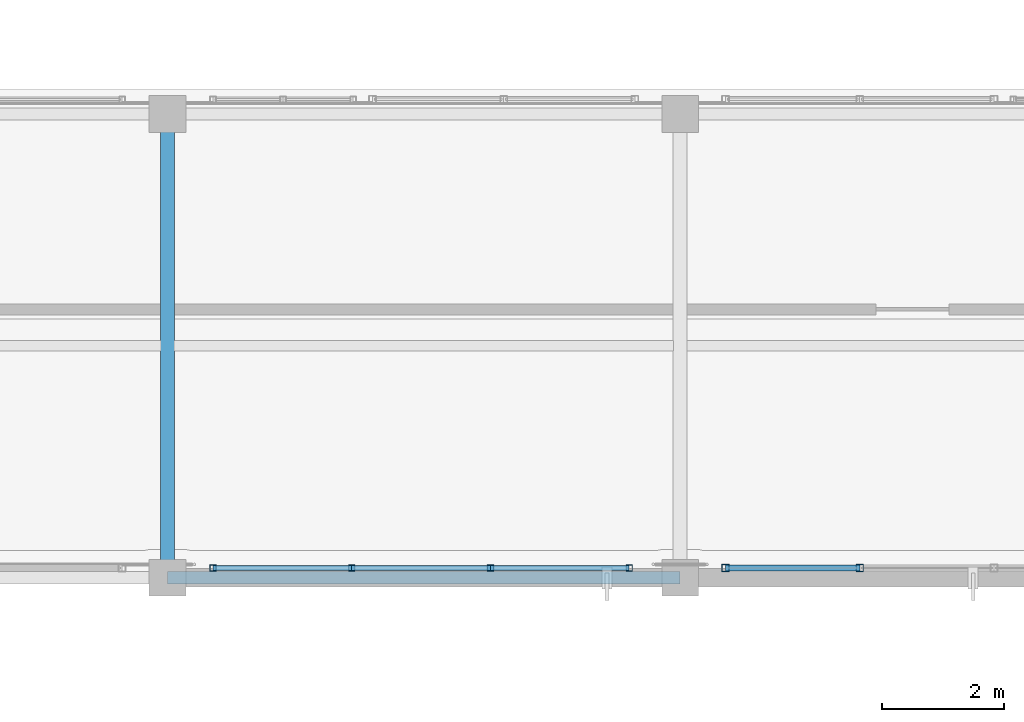
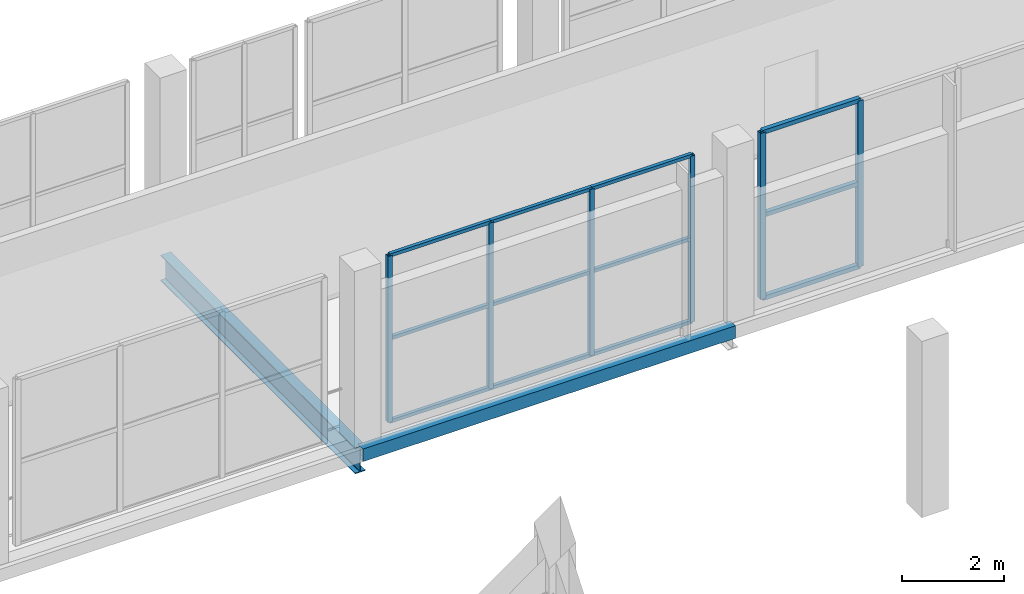
# One storey, part 44 of 151: 18 members, 2 beams, 2 elements without a shape of their own.
"""IFC4 building model written with IfcOpenShell, lengths in metres."""

from ifc_helpers import new_model, si_unit, direction, frame, origin, origin_2d, place, context, subcontext, project, spatial, hollow_rectangle, i_section, extrude, material, material_profile, profile_set, type_object, element, aggregate, save


model = new_model("IFC4")

# Units and contexts
model_context = context("Model", 3, precision=1e-05, world=origin(), true_north=direction((0.0, 1.0)))
body_context = subcontext(model_context, "Body", "Model", "MODEL_VIEW")
ifc_project = project(units=[si_unit("LENGTHUNIT", "METRE"), si_unit("AREAUNIT", "SQUARE_METRE"), si_unit("VOLUMEUNIT", "CUBIC_METRE"), si_unit("PLANEANGLEUNIT", "RADIAN"), si_unit("MASSUNIT", "GRAM", prefix="KILO")], contexts=[model_context])

# Site, building, storey
site_placement = place(None, origin())
site = spatial("IfcSite", under=ifc_project, at=site_placement, CompositionType="ELEMENT")
building_placement = place(site_placement, origin())
building = spatial("IfcBuilding", under=site, at=building_placement, Name="Zuvorla Pavilion Media Centre", CompositionType="ELEMENT")
storey_placement = place(building_placement, frame((0.0, 0.0, 13.800048828125)))
storey = spatial("IfcBuildingStorey", under=building, at=storey_placement, Name="L03", CompositionType="ELEMENT", Elevation=13.800048828125)

# Beams
ifc_material_1 = material(Name="Steel S355", Category="steel")
ifc_material_profile_1 = material_profile(ifc_material_1, hollow_rectangle(XDim=0.199951171875, YDim=0.300048828125, WallThickness=0.012451171875, at=origin_2d()), Name="RHS 300x200x12.5")
ifc_profile_set_1 = profile_set([ifc_material_profile_1], Name="Steel S355")
beam_type_1 = type_object("IfcBeamType", Name="BM-SP-RHS300", PredefinedType="SPANDREL", material=ifc_profile_set_1)
beam_1_placement = place(storey_placement, frame((108.800048828125, 44.0, -0.407958984375), z_axis=(1.0, 0.0, 0.0), x_axis=(0.0, 1.0, 0.0)))
element("IfcBeam", 1, at=beam_1_placement, inside=storey, type_object=beam_type_1, Name="L03 spandrel SP01 1085", PredefinedType="SPANDREL", context=body_context, shape_type="SweptSolid", body=[
    extrude(hollow_rectangle(XDim=0.199951171875, YDim=0.300048828125, WallThickness=0.012451171875, at=origin_2d()), origin(), (0.0, 0.0, 1.0), 8.39990234375),
])
ifc_material_profile_2 = material_profile(ifc_material_1, i_section(OverallWidth=0.22900390625, OverallDepth=0.6123046875, WebThickness=0.011962890625, FlangeThickness=0.01953125, FilletRadius=0.0126953125, at=origin_2d()), Name="UB 610x229x125")
ifc_profile_set_2 = profile_set([ifc_material_profile_2], Name="Steel S355")
beam_type_2 = type_object("IfcBeamType", Name="BM-UB610", PredefinedType="BEAM", material=ifc_profile_set_2)
beam_2_placement = place(storey_placement, frame((108.800048828125, 44.0, -0.564208984375), z_axis=(0.0, 1.0, 0.0), x_axis=(-1.0, 0.0, 0.0)))
element("IfcBeam", 2, at=beam_2_placement, inside=storey, type_object=beam_type_2, Name="L03 beam B07 1210", PredefinedType="BEAM", context=body_context, shape_type="SweptSolid", body=[
    extrude(i_section(OverallWidth=0.22900390625, OverallDepth=0.6123046875, WebThickness=0.011962890625, FlangeThickness=0.01953125, FilletRadius=0.0126953125, at=origin_2d()), origin(), (0.0, 0.0, 1.0), 7.60009765625),
])

# Curtain wall, members
ifc_material_2 = material(Name="Unitised anodised aluminium and solar glass curtain wall", Category="aluminium")
curtain_wall_type_1 = type_object("IfcCurtainWallType", Name="CW-SYS-72", PredefinedType="USERDEFINED", material=ifc_material_2)
curtain_wall_1_placement = place(storey_placement, origin())
curtain_wall_1 = element("IfcCurtainWall", 3, at=curtain_wall_1_placement, inside=storey, type_object=curtain_wall_type_1, Name="L03 curtain wall CW72 142", ObjectType="CURTAIN WALL", PredefinedType="USERDEFINED")
ifc_material_3 = material(Name="Anodised aluminium 6063-T6", Category="aluminium")
ifc_material_profile_3 = material_profile(ifc_material_3, hollow_rectangle(XDim=0.10009765625, YDim=0.10009765625, WallThickness=0.00439453125, at=origin_2d()), Name="ALU MULL 100x100")
ifc_profile_set_3 = profile_set([ifc_material_profile_3], Name="Anodised aluminium 6063-T6")
member_type_1 = type_object("IfcMemberType", Name="CW-MULL-100", PredefinedType="MULLION", material=ifc_profile_set_3)
member_1_placement = place(storey_placement, frame((109.544189453125, 44.159912109375, 0.0), z_axis=(0.0, 0.0, 1.0), x_axis=(1.0, 0.0, 0.0)))
member_1 = element("IfcMember", 4, at=member_1_placement, type_object=member_type_1, Name="CW72 mullion 1", PredefinedType="MULLION", context=body_context, shape_type="SweptSolid", body=[
    extrude(hollow_rectangle(XDim=0.10009765625, YDim=0.10009765625, WallThickness=0.00439453125, at=origin_2d()), origin(), (0.0, 0.0, 1.0), 3.9599609375),
])
member_2_placement = place(storey_placement, frame((111.81787109375, 44.159912109375, 0.0), z_axis=(0.0, 0.0, 1.0), x_axis=(1.0, 0.0, 0.0)))
member_2 = element("IfcMember", 5, at=member_2_placement, type_object=member_type_1, Name="CW72 mullion 2", PredefinedType="MULLION", context=body_context, shape_type="SweptSolid", body=[
    extrude(hollow_rectangle(XDim=0.10009765625, YDim=0.10009765625, WallThickness=0.00439453125, at=origin_2d()), origin(), (0.0, 0.0, 1.0), 3.9599609375),
])
member_3_placement = place(storey_placement, frame((114.091552734375, 44.159912109375, 0.0), z_axis=(0.0, 0.0, 1.0), x_axis=(1.0, 0.0, 0.0)))
member_3 = element("IfcMember", 6, at=member_3_placement, type_object=member_type_1, Name="CW72 mullion 3", PredefinedType="MULLION", context=body_context, shape_type="SweptSolid", body=[
    extrude(hollow_rectangle(XDim=0.10009765625, YDim=0.10009765625, WallThickness=0.00439453125, at=origin_2d()), origin(), (0.0, 0.0, 1.0), 3.9599609375),
])
member_4_placement = place(storey_placement, frame((116.364990234375, 44.159912109375, 0.0), z_axis=(0.0, 0.0, 1.0), x_axis=(1.0, 0.0, 0.0)))
member_4 = element("IfcMember", 7, at=member_4_placement, type_object=member_type_1, Name="CW72 mullion 4", PredefinedType="MULLION", context=body_context, shape_type="SweptSolid", body=[
    extrude(hollow_rectangle(XDim=0.10009765625, YDim=0.10009765625, WallThickness=0.00439453125, at=origin_2d()), origin(), (0.0, 0.0, 1.0), 3.9599609375),
])

curtain_wall_type_2 = type_object("IfcCurtainWallType", Name="CW-SYS-73", PredefinedType="USERDEFINED", material=ifc_material_2)
curtain_wall_2_placement = place(storey_placement, origin())
curtain_wall_2 = element("IfcCurtainWall", 8, at=curtain_wall_2_placement, inside=storey, type_object=curtain_wall_type_2, Name="L03 curtain wall CW73 143", ObjectType="CURTAIN WALL", PredefinedType="USERDEFINED")
ifc_material_profile_4 = material_profile(ifc_material_3, hollow_rectangle(XDim=0.1201171875, YDim=0.1201171875, WallThickness=0.0048828125, at=origin_2d()), Name="ALU MULL 120x120")
ifc_profile_set_4 = profile_set([ifc_material_profile_4], Name="Anodised aluminium 6063-T6")
member_type_2 = type_object("IfcMemberType", Name="CW-MULL-120", PredefinedType="MULLION", material=ifc_profile_set_4)
member_5_placement = place(storey_placement, frame((117.9443359375, 44.159912109375, 0.0), z_axis=(0.0, 0.0, 1.0), x_axis=(1.0, 0.0, 0.0)))
member_5 = element("IfcMember", 9, at=member_5_placement, type_object=member_type_2, Name="CW73 mullion 1", PredefinedType="MULLION", context=body_context, shape_type="SweptSolid", body=[
    extrude(hollow_rectangle(XDim=0.1201171875, YDim=0.1201171875, WallThickness=0.0048828125, at=origin_2d()), origin(), (0.0, 0.0, 1.0), 3.9599609375),
])
member_6_placement = place(storey_placement, frame((120.142822265625, 44.159912109375, 0.0), z_axis=(0.0, 0.0, 1.0), x_axis=(1.0, 0.0, 0.0)))
member_6 = element("IfcMember", 10, at=member_6_placement, type_object=member_type_2, Name="CW73 mullion 2", PredefinedType="MULLION", context=body_context, shape_type="SweptSolid", body=[
    extrude(hollow_rectangle(XDim=0.1201171875, YDim=0.1201171875, WallThickness=0.0048828125, at=origin_2d()), origin(), (0.0, 0.0, 1.0), 3.9599609375),
])
ifc_material_profile_5 = material_profile(ifc_material_3, hollow_rectangle(XDim=0.10009765625, YDim=0.10009765625, WallThickness=0.00439453125, at=origin_2d()), Name="ALU TRAN 100x100")
ifc_profile_set_5 = profile_set([ifc_material_profile_5], Name="Anodised aluminium 6063-T6")
member_type_3 = type_object("IfcMemberType", Name="CW-TRAN-100", PredefinedType="USERDEFINED", material=ifc_profile_set_5)
member_7_placement = place(storey_placement, frame((117.9443359375, 44.159912109375, 0.0), z_axis=(1.0, 0.0, 0.0), x_axis=(0.0, 1.0, 0.0)))
member_7 = element("IfcMember", 11, at=member_7_placement, type_object=member_type_3, Name="CW73 transom 1.1", ObjectType="TRANSOM", PredefinedType="USERDEFINED", context=body_context, shape_type="SweptSolid", body=[
    extrude(hollow_rectangle(XDim=0.10009765625, YDim=0.10009765625, WallThickness=0.00439453125, at=origin_2d()), origin(), (0.0, 0.0, 1.0), 2.198486328125),
])
member_8_placement = place(storey_placement, frame((117.9443359375, 44.159912109375, 1.97998046875), z_axis=(1.0, 0.0, 0.0), x_axis=(0.0, 1.0, 0.0)))
member_8 = element("IfcMember", 12, at=member_8_placement, type_object=member_type_3, Name="CW73 transom 1.2", ObjectType="TRANSOM", PredefinedType="USERDEFINED", context=body_context, shape_type="SweptSolid", body=[
    extrude(hollow_rectangle(XDim=0.10009765625, YDim=0.10009765625, WallThickness=0.00439453125, at=origin_2d()), origin(), (0.0, 0.0, 1.0), 2.198486328125),
])
member_9_placement = place(storey_placement, frame((117.9443359375, 44.159912109375, 3.9599609375), z_axis=(1.0, 0.0, 0.0), x_axis=(0.0, 1.0, 0.0)))
member_9 = element("IfcMember", 13, at=member_9_placement, type_object=member_type_3, Name="CW73 transom 1.3", ObjectType="TRANSOM", PredefinedType="USERDEFINED", context=body_context, shape_type="SweptSolid", body=[
    extrude(hollow_rectangle(XDim=0.10009765625, YDim=0.10009765625, WallThickness=0.00439453125, at=origin_2d()), origin(), (0.0, 0.0, 1.0), 2.198486328125),
])
aggregate(curtain_wall_2, [member_5, member_6, member_7, member_8, member_9])

# Member
ifc_material_profile_6 = material_profile(ifc_material_3, hollow_rectangle(XDim=0.080078125, YDim=0.080078125, WallThickness=0.00390625, at=origin_2d()), Name="ALU TRAN 80x80")
ifc_profile_set_6 = profile_set([ifc_material_profile_6], Name="Anodised aluminium 6063-T6")
member_type_4 = type_object("IfcMemberType", Name="CW-TRAN-80", PredefinedType="USERDEFINED", material=ifc_profile_set_6)
member_10_placement = place(storey_placement, frame((109.544189453125, 44.159912109375, 0.0), z_axis=(1.0, 0.0, 0.0), x_axis=(0.0, 1.0, 0.0)))
member_10 = element("IfcMember", 14, at=member_10_placement, type_object=member_type_4, Name="CW72 transom 1.1", ObjectType="TRANSOM", PredefinedType="USERDEFINED", context=body_context, shape_type="SweptSolid", body=[
    extrude(hollow_rectangle(XDim=0.080078125, YDim=0.080078125, WallThickness=0.00390625, at=origin_2d()), origin(), (0.0, 0.0, 1.0), 2.273681640625),
])

member_11_placement = place(storey_placement, frame((109.544189453125, 44.159912109375, 1.97998046875), z_axis=(1.0, 0.0, 0.0), x_axis=(0.0, 1.0, 0.0)))
member_11 = element("IfcMember", 15, at=member_11_placement, type_object=member_type_4, Name="CW72 transom 1.2", ObjectType="TRANSOM", PredefinedType="USERDEFINED", context=body_context, shape_type="SweptSolid", body=[
    extrude(hollow_rectangle(XDim=0.080078125, YDim=0.080078125, WallThickness=0.00390625, at=origin_2d()), origin(), (0.0, 0.0, 1.0), 2.273681640625),
])

member_12_placement = place(storey_placement, frame((109.544189453125, 44.159912109375, 3.9599609375), z_axis=(1.0, 0.0, 0.0), x_axis=(0.0, 1.0, 0.0)))
member_12 = element("IfcMember", 16, at=member_12_placement, type_object=member_type_4, Name="CW72 transom 1.3", ObjectType="TRANSOM", PredefinedType="USERDEFINED", context=body_context, shape_type="SweptSolid", body=[
    extrude(hollow_rectangle(XDim=0.080078125, YDim=0.080078125, WallThickness=0.00390625, at=origin_2d()), origin(), (0.0, 0.0, 1.0), 2.273681640625),
])

member_13_placement = place(storey_placement, frame((111.81787109375, 44.159912109375, 0.0), z_axis=(1.0, 0.0, 0.0), x_axis=(0.0, 1.0, 0.0)))
member_13 = element("IfcMember", 17, at=member_13_placement, type_object=member_type_4, Name="CW72 transom 2.1", ObjectType="TRANSOM", PredefinedType="USERDEFINED", context=body_context, shape_type="SweptSolid", body=[
    extrude(hollow_rectangle(XDim=0.080078125, YDim=0.080078125, WallThickness=0.00390625, at=origin_2d()), origin(), (0.0, 0.0, 1.0), 2.273681640625),
])

member_14_placement = place(storey_placement, frame((111.81787109375, 44.159912109375, 1.97998046875), z_axis=(1.0, 0.0, 0.0), x_axis=(0.0, 1.0, 0.0)))
member_14 = element("IfcMember", 18, at=member_14_placement, type_object=member_type_4, Name="CW72 transom 2.2", ObjectType="TRANSOM", PredefinedType="USERDEFINED", context=body_context, shape_type="SweptSolid", body=[
    extrude(hollow_rectangle(XDim=0.080078125, YDim=0.080078125, WallThickness=0.00390625, at=origin_2d()), origin(), (0.0, 0.0, 1.0), 2.273681640625),
])

member_15_placement = place(storey_placement, frame((111.81787109375, 44.159912109375, 3.9599609375), z_axis=(1.0, 0.0, 0.0), x_axis=(0.0, 1.0, 0.0)))
member_15 = element("IfcMember", 19, at=member_15_placement, type_object=member_type_4, Name="CW72 transom 2.3", ObjectType="TRANSOM", PredefinedType="USERDEFINED", context=body_context, shape_type="SweptSolid", body=[
    extrude(hollow_rectangle(XDim=0.080078125, YDim=0.080078125, WallThickness=0.00390625, at=origin_2d()), origin(), (0.0, 0.0, 1.0), 2.273681640625),
])

member_16_placement = place(storey_placement, frame((114.091552734375, 44.159912109375, 0.0), z_axis=(1.0, 0.0, 0.0), x_axis=(0.0, 1.0, 0.0)))
member_16 = element("IfcMember", 20, at=member_16_placement, type_object=member_type_4, Name="CW72 transom 3.1", ObjectType="TRANSOM", PredefinedType="USERDEFINED", context=body_context, shape_type="SweptSolid", body=[
    extrude(hollow_rectangle(XDim=0.080078125, YDim=0.080078125, WallThickness=0.00390625, at=origin_2d()), origin(), (0.0, 0.0, 1.0), 2.2734375),
])

member_17_placement = place(storey_placement, frame((114.091552734375, 44.159912109375, 1.97998046875), z_axis=(1.0, 0.0, 0.0), x_axis=(0.0, 1.0, 0.0)))
member_17 = element("IfcMember", 21, at=member_17_placement, type_object=member_type_4, Name="CW72 transom 3.2", ObjectType="TRANSOM", PredefinedType="USERDEFINED", context=body_context, shape_type="SweptSolid", body=[
    extrude(hollow_rectangle(XDim=0.080078125, YDim=0.080078125, WallThickness=0.00390625, at=origin_2d()), origin(), (0.0, 0.0, 1.0), 2.2734375),
])

member_18_placement = place(storey_placement, frame((114.091552734375, 44.159912109375, 3.9599609375), z_axis=(1.0, 0.0, 0.0), x_axis=(0.0, 1.0, 0.0)))
member_18 = element("IfcMember", 22, at=member_18_placement, type_object=member_type_4, Name="CW72 transom 3.3", ObjectType="TRANSOM", PredefinedType="USERDEFINED", context=body_context, shape_type="SweptSolid", body=[
    extrude(hollow_rectangle(XDim=0.080078125, YDim=0.080078125, WallThickness=0.00390625, at=origin_2d()), origin(), (0.0, 0.0, 1.0), 2.2734375),
])

aggregate(curtain_wall_1, [member_1, member_2, member_3, member_4, member_10, member_11, member_12, member_13, member_14, member_15, member_16, member_17, member_18])

save(model, "model.ifc")
